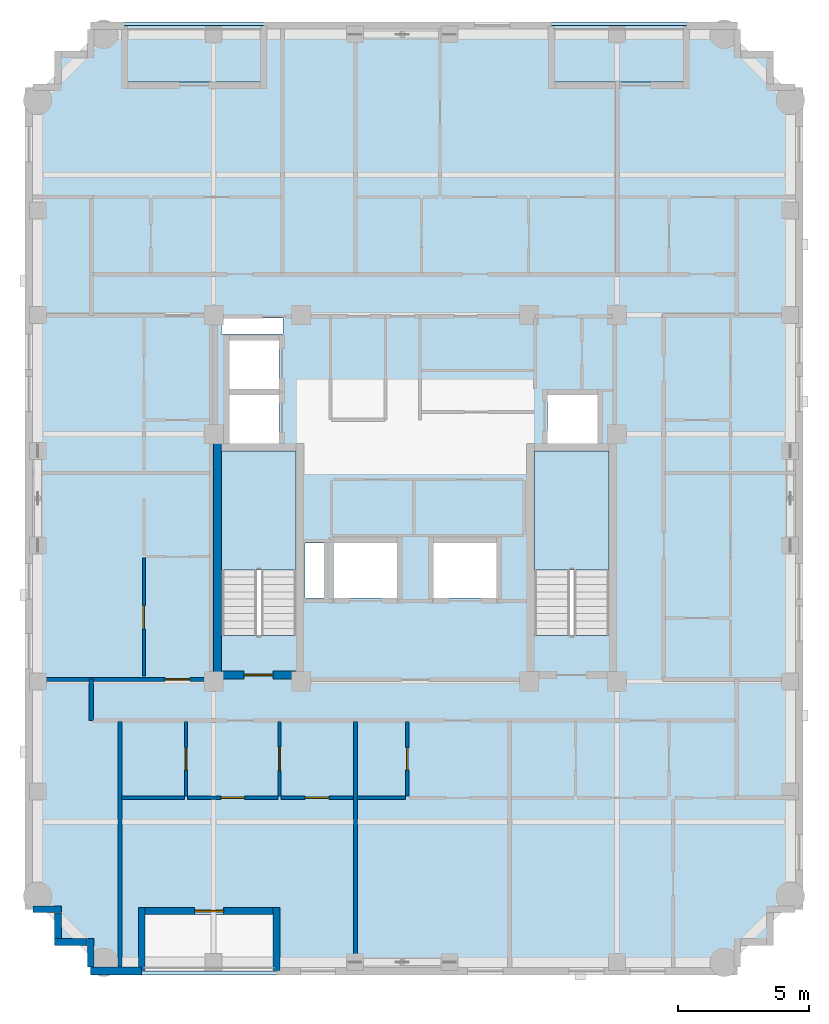
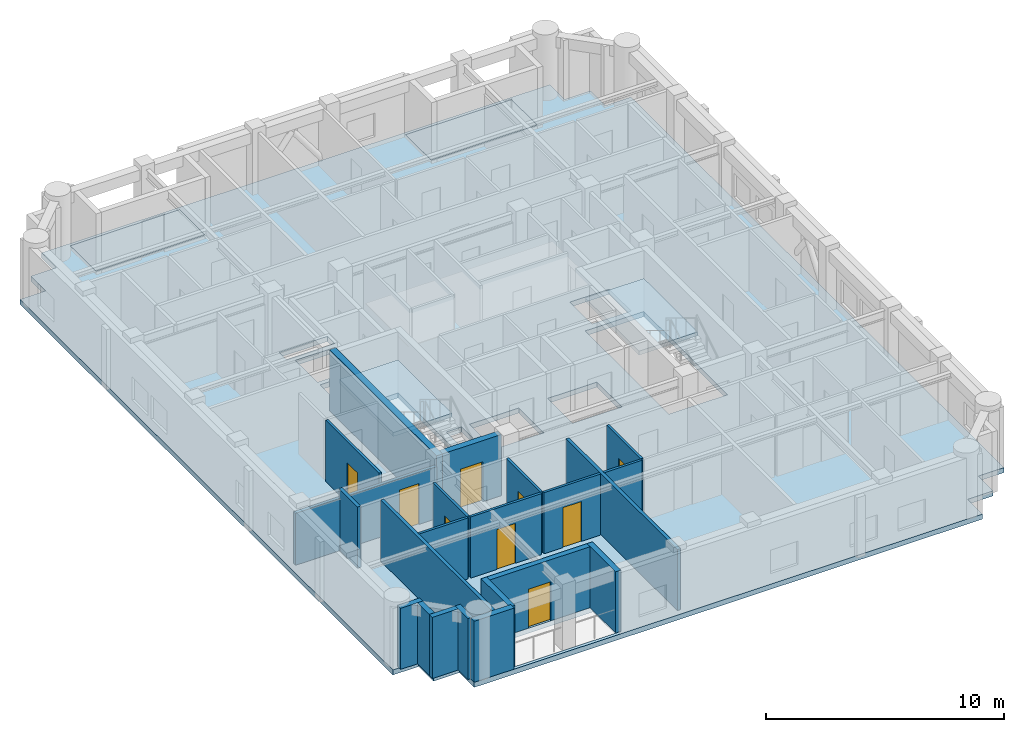
# One storey, part 2 of 10: 22 walls, 9 doors, 5 slabs, 9 openings, 2 elements without a shape of their own.
"""IFC4 building model written with IfcOpenShell, lengths in metres."""

from ifc_helpers import new_model, si_unit, derived_unit, direction, frame, frame_2d, origin, place, context, subcontext, project, spatial, polyline, rectangle, outline, extrude, material, layer, layer_set, type_object, element, fill, aggregate, save


model = new_model("IFC4")

# Units and contexts
model_context = context("Model", 3, precision=1e-05, world=origin(), true_north=direction((0.0, 1.0)))
body_context = subcontext(model_context, "Body", "Model", "MODEL_VIEW")
ifc_project = project(units=[si_unit("LENGTHUNIT", "METRE"), si_unit("AREAUNIT", "SQUARE_METRE"), si_unit("VOLUMEUNIT", "CUBIC_METRE"), si_unit("PLANEANGLEUNIT", "RADIAN"), si_unit("MASSUNIT", "GRAM", prefix="KILO"), derived_unit("THERMALTRANSMITTANCEUNIT", [(si_unit("MASSUNIT", "GRAM", prefix="KILO"), 1), (si_unit("TIMEUNIT", "SECOND"), -3), (si_unit("THERMODYNAMICTEMPERATUREUNIT", "KELVIN"), -1)])], contexts=[model_context])

# Site, building, storey
site_placement = place(None, origin())
site = spatial("IfcSite", under=ifc_project, at=site_placement, CompositionType="ELEMENT")
building_placement = place(site_placement, origin())
building = spatial("IfcBuilding", under=site, at=building_placement, Name="Korrvale Station Residences", CompositionType="ELEMENT")
storey_placement = place(building_placement, frame((0.0, 0.0, 234.300048828125)))
storey = spatial("IfcBuildingStorey", under=building, at=storey_placement, Name="L68", CompositionType="ELEMENT", Elevation=234.300048828125)

# Slabs
ifc_material_1 = material(Name="Concrete C50/60", Category="concrete")
ifc_layer_1 = layer(ifc_material_1, 0.219970703125, Name="Concrete C50/60")
ifc_layer_set_1 = layer_set([ifc_layer_1], Name="Concrete C50/60")
slab_type_1 = type_object("IfcSlabType", Name="SLB-BAL-220", PredefinedType="FLOOR", material=ifc_layer_set_1)
slab_1_placement = place(storey_placement, frame((0.0, 0.0, -0.219970703125)))
element("IfcSlab", 1, at=slab_1_placement, inside=storey, type_object=slab_type_1, Name="L68 Recessed Loggia Balcony Slab BAL-L68-N1", PredefinedType="FLOOR", context=body_context, shape_type="SweptSolid", body=[
    extrude(outline(polyline([(30.699951171875, 37.89990234375), (35.85009765625, 37.89990234375), (35.85009765625, 40.050048828125), (30.699951171875, 40.050048828125), (30.699951171875, 37.89990234375)])), origin(), (0.0, 0.0, 1.0), 0.219970703125),
])
slab_2_placement = place(storey_placement, frame((0.0, 0.0, -0.219970703125)))
element("IfcSlab", 2, at=slab_2_placement, inside=storey, type_object=slab_type_1, Name="L68 Recessed Loggia Balcony Slab BAL-L68-N2", PredefinedType="FLOOR", context=body_context, shape_type="SweptSolid", body=[
    extrude(outline(polyline([(14.39990234375, 37.89990234375), (19.699951171875, 37.89990234375), (19.699951171875, 40.050048828125), (14.39990234375, 40.050048828125), (14.39990234375, 37.89990234375)])), origin(), (0.0, 0.0, 1.0), 0.219970703125),
])
ifc_layer_2 = layer(ifc_material_1, 0.260009765625, Name="Concrete C50/60")
ifc_layer_set_2 = layer_set([ifc_layer_2], Name="Concrete C50/60")
slab_type_2 = type_object("IfcSlabType", Name="SLB-FLR-260", PredefinedType="FLOOR", material=ifc_layer_set_2)
slab_3_placement = place(storey_placement, frame((0.0, 0.0, -0.260009765625)))
element("IfcSlab", 3, at=slab_3_placement, inside=storey, type_object=slab_type_2, Name="L68 Suspended Structural Floor Slab", PredefinedType="FLOOR", context=body_context, shape_type="SweptSolid", body=[
    extrude(outline(polyline([(13.10009765625, 3.800048828125), (37.800048828125, 3.800048828125), (37.800048828125, 5.050048828125), (39.050048828125, 5.050048828125), (39.050048828125, 6.300048828125), (40.300048828125, 6.300048828125), (40.300048828125, 37.699951171875), (39.050048828125, 37.699951171875), (39.050048828125, 38.949951171875), (37.800048828125, 38.949951171875), (37.800048828125, 40.199951171875), (13.10009765625, 40.199951171875), (13.10009765625, 38.949951171875), (11.85009765625, 38.949951171875), (11.85009765625, 37.699951171875), (10.60009765625, 37.699951171875), (10.60009765625, 6.300048828125), (11.85009765625, 6.300048828125), (11.85009765625, 5.050048828125), (13.10009765625, 5.050048828125), (13.10009765625, 3.800048828125)]), holes=[polyline([(20.949951171875, 16.751953125), (20.949951171875, 23.800048828125), (18.10009765625, 23.800048828125), (18.10009765625, 16.751953125), (20.949951171875, 16.751953125)]), polyline([(32.89990234375, 16.751953125), (32.89990234375, 23.800048828125), (30.050048828125, 23.800048828125), (30.050048828125, 16.751953125), (32.89990234375, 16.751953125)]), polyline([(18.39990234375, 24.10009765625), (20.300048828125, 24.10009765625), (20.300048828125, 25.949951171875), (18.39990234375, 25.949951171875), (18.39990234375, 24.10009765625)]), polyline([(18.39990234375, 26.169921875), (20.300048828125, 26.169921875), (20.300048828125, 28.02001953125), (18.39990234375, 28.02001953125), (18.39990234375, 26.169921875)]), polyline([(30.550048828125, 24.10009765625), (32.449951171875, 24.10009765625), (32.449951171875, 25.949951171875), (30.550048828125, 25.949951171875), (30.550048828125, 24.10009765625)]), polyline([(22.39990234375, 18.199951171875), (24.800048828125, 18.199951171875), (24.800048828125, 20.300048828125), (22.39990234375, 20.300048828125), (22.39990234375, 18.199951171875)]), polyline([(26.199951171875, 18.199951171875), (28.60009765625, 18.199951171875), (28.60009765625, 20.300048828125), (26.199951171875, 20.300048828125), (26.199951171875, 18.199951171875)]), polyline([(18.10009765625, 28.280029296875), (20.449951171875, 28.280029296875), (20.449951171875, 28.8798828125), (18.10009765625, 28.8798828125), (18.10009765625, 28.280029296875)]), polyline([(21.280029296875, 18.199951171875), (22.02001953125, 18.199951171875), (22.02001953125, 20.300048828125), (21.280029296875, 20.300048828125), (21.280029296875, 18.199951171875)]), polyline([(15.050048828125, 3.949951171875), (20.199951171875, 3.949951171875), (20.199951171875, 6.10009765625), (15.050048828125, 6.10009765625), (15.050048828125, 3.949951171875)]), polyline([(30.699951171875, 37.89990234375), (35.85009765625, 37.89990234375), (35.85009765625, 40.050048828125), (30.699951171875, 40.050048828125), (30.699951171875, 37.89990234375)]), polyline([(14.39990234375, 37.89990234375), (19.699951171875, 37.89990234375), (19.699951171875, 40.050048828125), (14.39990234375, 40.050048828125), (14.39990234375, 37.89990234375)])]), origin(), (0.0, 0.0, 1.0), 0.260009765625),
])

# Stair, slab
stair_type = type_object("IfcStairType", Name="STR-DL-1350-20R-1700", PredefinedType="HALF_TURN_STAIR", material=ifc_material_1)
stair_1_placement = place(storey_placement, origin())
stair_1 = element("IfcStair", 4, at=stair_1_placement, inside=storey, type_object=stair_type, Name="L68 Exit Stair 1", PredefinedType="HALF_TURN_STAIR")
ifc_layer_3 = layer(ifc_material_1, 0.199951171875, Name="Concrete C50/60")
ifc_layer_set_3 = layer_set([ifc_layer_3], Name="Concrete C50/60")
slab_type_3 = type_object("IfcSlabType", Name="SLB-LND-200", PredefinedType="LANDING", material=ifc_layer_set_3)
slab_4_placement = place(storey_placement, frame((0.0, 0.0, 1.5)))
slab_4 = element("IfcSlab", 5, at=slab_4_placement, type_object=slab_type_3, Name="ST-1 landing 1", PredefinedType="LANDING", context=body_context, shape_type="SweptSolid", body=[
    extrude(outline(polyline([(20.949951171875, 19.27001953125), (20.949951171875, 23.800048828125), (18.10009765625, 23.800048828125), (18.10009765625, 19.27001953125), (20.949951171875, 19.27001953125)])), origin(), (0.0, 0.0, 1.0), 0.199951171875),
])
aggregate(stair_1, [slab_4])

stair_2_placement = place(storey_placement, origin())
stair_2 = element("IfcStair", 6, at=stair_2_placement, inside=storey, type_object=stair_type, Name="L68 Exit Stair 2", PredefinedType="HALF_TURN_STAIR")
slab_5_placement = place(storey_placement, frame((0.0, 0.0, 1.5)))
slab_5 = element("IfcSlab", 7, at=slab_5_placement, type_object=slab_type_3, Name="ST-2 landing 1", PredefinedType="LANDING", context=body_context, shape_type="SweptSolid", body=[
    extrude(outline(polyline([(32.89990234375, 19.27001953125), (32.89990234375, 23.800048828125), (30.050048828125, 23.800048828125), (30.050048828125, 19.27001953125), (32.89990234375, 19.27001953125)])), origin(), (0.0, 0.0, 1.0), 0.199951171875),
])
aggregate(stair_2, [slab_5])

# Wall
ifc_layer_4 = layer(ifc_material_1, 0.300048828125, Name="Concrete C50/60")
ifc_layer_set_4 = layer_set([ifc_layer_4], Name="Concrete C50/60")
wall_type_1 = type_object("IfcWallType", Name="WAL-CORE-300-C50", PredefinedType="SHEAR", material=ifc_layer_set_4)
wall_1_placement = place(storey_placement, frame((17.949951171875, 15.10009765625, 0.0), z_axis=(0.0, 0.0, 1.0), x_axis=(0.0, 1.0, 0.0)))
element("IfcWall", 8, at=wall_1_placement, inside=storey, type_object=wall_type_1, Name="L68 ST-1 Core Shear Wall West", PredefinedType="SHEAR", context=body_context, shape_type="SweptSolid", body=[
    extrude(rectangle(XDim=9.0, YDim=0.300048828125, at=frame_2d((4.5, 0.0))), origin(), (0.0, 0.0, 1.0), 3.139892578125),
])

# Wall, opening, door
wall_2_placement = place(storey_placement, frame((18.10009765625, 15.25, 0.0), z_axis=(0.0, 0.0, 1.0), x_axis=(1.0, 0.0, 0.0)))
wall_2 = element("IfcWall", 9, at=wall_2_placement, inside=storey, type_object=wall_type_1, Name="L68 ST-1 Core Shear Wall South", PredefinedType="SHEAR", context=body_context, shape_type="SweptSolid", body=[
    extrude(rectangle(XDim=2.849853515625, YDim=0.300048828125, at=frame_2d((1.4248046875, 0.0))), origin(), (0.0, 0.0, 1.0), 3.139892578125),
])
opening_1_placement = place(wall_2_placement, frame((0.860107421875, 0.0, 0.0)))
opening_1 = element("IfcOpeningElement", 10, at=opening_1_placement, cuts=wall_2, Name="Opening SD-1100", PredefinedType="OPENING", context=body_context, shape_type="SweptSolid", body=[
    extrude(rectangle(XDim=1.10009765625, YDim=2.050048828125, at=frame_2d((0.550048828125, 1.02490234375))), frame((0.0, 0.16015625, 0.0), z_axis=(0.0, -1.0, 0.0), x_axis=(1.0, 0.0, 0.0)), (0.0, 0.0, 1.0), 0.320068359375),
])
ifc_material_2 = material(Name="Hollow-metal fire-rated stair door with closer", Category="steel")
door_type_1 = type_object("IfcDoorType", Name="DR-STAIR-1100", OperationType="NOTDEFINED", PredefinedType="DOOR", material=ifc_material_2)
door_1_placement = place(opening_1_placement, origin())
door_1 = element("IfcDoor", 11, at=door_1_placement, inside=storey, type_object=door_type_1, Name="L68 ST-1 Exit Stair Door", OperationType="SINGLE_SWING_LEFT", OverallHeight=2.050048828125, OverallWidth=1.10009765625, PredefinedType="DOOR", context=body_context, shape_type="SweptSolid", body=[
    extrude(rectangle(XDim=1.10009765625, YDim=2.050048828125, at=frame_2d((0.550048828125, 1.02490234375))), frame((0.0, 0.02490234375, 0.0), z_axis=(0.0, -1.0, 0.0), x_axis=(1.0, 0.0, 0.0)), (0.0, 0.0, 1.0), 0.050048828125),
])
fill(opening_1, door_1)

# Wall
ifc_material_3 = material(Name="Precast concrete C45/55", Category="concrete")
ifc_layer_5 = layer(ifc_material_3, 0.260009765625, Name="Precast concrete C45/55")
ifc_layer_set_5 = layer_set([ifc_layer_5], Name="Precast concrete C45/55")
wall_type_2 = type_object("IfcWallType", Name="WAL-EXT-LOG260", PredefinedType="SOLIDWALL", material=ifc_layer_set_5)
wall_3_placement = place(storey_placement, frame((20.199951171875, 3.9599609375, 0.0), z_axis=(0.0, 0.0, 1.0), x_axis=(0.0, 1.0, 0.0)))
element("IfcWall", 12, at=wall_3_placement, inside=storey, type_object=wall_type_2, Name="L68 Recessed Loggia Wall BAL-L68-S1-L", PredefinedType="SOLIDWALL", context=body_context, shape_type="SweptSolid", body=[
    extrude(rectangle(XDim=2.400146484375, YDim=0.260009765625, at=frame_2d((1.2001953125, 0.0))), origin(), (0.0, 0.0, 1.0), 3.139892578125),
])

# Wall, opening, door
wall_4_placement = place(storey_placement, frame((20.06591796875, 6.22998046875, 0.0), z_axis=(0.0, 0.0, 1.0), x_axis=(-1.0, 0.0, 0.0)))
wall_4 = element("IfcWall", 13, at=wall_4_placement, inside=storey, type_object=wall_type_2, Name="L68 Recessed Loggia Wall BAL-L68-S1-B", PredefinedType="SOLIDWALL", context=body_context, shape_type="SweptSolid", body=[
    extrude(rectangle(XDim=4.8818359375, YDim=0.260009765625, at=frame_2d((2.44091796875, 0.0))), origin(), (0.0, 0.0, 1.0), 3.139892578125),
])
opening_2_placement = place(wall_4_placement, frame((1.89111328125, 0.0, 0.0)))
opening_2 = element("IfcOpeningElement", 14, at=opening_2_placement, cuts=wall_4, Name="Opening BD-01", PredefinedType="OPENING", context=body_context, shape_type="SweptSolid", body=[
    extrude(rectangle(XDim=1.10009765625, YDim=2.0, at=frame_2d((0.550048828125, 1.0))), frame((0.0, 0.14013671875, 0.0), z_axis=(0.0, -1.0, 0.0), x_axis=(1.0, 0.0, 0.0)), (0.0, 0.0, 1.0), 0.280029296875),
])
ifc_material_4 = material(Name="Exterior thermally broken aluminium glazed balcony door", Category="aluminium")
door_type_2 = type_object("IfcDoorType", Name="DR-EXT-BAL", OperationType="NOTDEFINED", PredefinedType="DOOR", material=ifc_material_4)
door_2_placement = place(opening_2_placement, origin())
door_2 = element("IfcDoor", 15, at=door_2_placement, inside=storey, type_object=door_type_2, Name="L68 Loggia Balcony Door BAL-L68-S1", OperationType="SINGLE_SWING_LEFT", OverallHeight=2.0, OverallWidth=1.10009765625, PredefinedType="DOOR", context=body_context, shape_type="SweptSolid", body=[
    extrude(rectangle(XDim=1.10009765625, YDim=2.0, at=frame_2d((0.550048828125, 1.0))), frame((0.0, 0.02490234375, 0.0), z_axis=(0.0, -1.0, 0.0), x_axis=(1.0, 0.0, 0.0)), (0.0, 0.0, 1.0), 0.050048828125),
])
fill(opening_2, door_2)

# Walls
wall_5_placement = place(storey_placement, frame((15.050048828125, 6.360107421875, 0.0), z_axis=(0.0, 0.0, 1.0), x_axis=(0.0, -1.0, 0.0)))
element("IfcWall", 16, at=wall_5_placement, inside=storey, type_object=wall_type_2, Name="L68 Recessed Loggia Wall BAL-L68-S1-R", PredefinedType="SOLIDWALL", context=body_context, shape_type="SweptSolid", body=[
    extrude(rectangle(XDim=2.400146484375, YDim=0.260009765625, at=frame_2d((1.2001953125, 0.0))), origin(), (0.0, 0.0, 1.0), 3.139892578125),
])
wall_6_placement = place(storey_placement, frame((13.10009765625, 4.10205078125, 0.0), z_axis=(0.0, 0.0, 1.0), x_axis=(0.0, 1.0, 0.0)))
element("IfcWall", 17, at=wall_6_placement, inside=storey, type_object=wall_type_2, Name="L68 Serrated Corner Precast Step SW-1", PredefinedType="SOLIDWALL", context=body_context, shape_type="SweptSolid", body=[
    extrude(rectangle(XDim=1.077880859375, YDim=0.260009765625, at=frame_2d((0.5390625, 0.0))), origin(), (0.0, 0.0, 1.0), 3.139892578125),
])
wall_7_placement = place(storey_placement, frame((12.968017578125, 5.050048828125, 0.0), z_axis=(0.0, 0.0, 1.0), x_axis=(-1.0, 0.0, 0.0)))
element("IfcWall", 18, at=wall_7_placement, inside=storey, type_object=wall_type_2, Name="L68 Serrated Corner Precast Step SW-2", PredefinedType="SOLIDWALL", context=body_context, shape_type="SweptSolid", body=[
    extrude(rectangle(XDim=1.248046875, YDim=0.260009765625, at=frame_2d((0.6240234375, 0.0))), origin(), (0.0, 0.0, 1.0), 3.139892578125),
])
wall_8_placement = place(storey_placement, frame((11.85009765625, 5.181884765625, 0.0), z_axis=(0.0, 0.0, 1.0), x_axis=(0.0, 1.0, 0.0)))
element("IfcWall", 19, at=wall_8_placement, inside=storey, type_object=wall_type_2, Name="L68 Serrated Corner Precast Step SW-3", PredefinedType="SOLIDWALL", context=body_context, shape_type="SweptSolid", body=[
    extrude(rectangle(XDim=0.986083984375, YDim=0.260009765625, at=frame_2d((0.4931640625, 0.0))), origin(), (0.0, 0.0, 1.0), 3.139892578125),
])
wall_9_placement = place(storey_placement, frame((11.97998046875, 6.300048828125, 0.0), z_axis=(0.0, 0.0, 1.0), x_axis=(-1.0, 0.0, 0.0)))
element("IfcWall", 20, at=wall_9_placement, inside=storey, type_object=wall_type_2, Name="L68 Serrated Corner Precast Step SW-4", PredefinedType="SOLIDWALL", context=body_context, shape_type="SweptSolid", body=[
    extrude(rectangle(XDim=1.077880859375, YDim=0.260009765625, at=frame_2d((0.5390625, 0.0))), origin(), (0.0, 0.0, 1.0), 3.139892578125),
])
ifc_layer_6 = layer(ifc_material_3, 0.300048828125, Name="Precast concrete C45/55")
ifc_layer_set_6 = layer_set([ifc_layer_6], Name="Precast concrete C45/55")
wall_type_3 = type_object("IfcWallType", Name="WAL-EXT-PC300", PredefinedType="SOLIDWALL", material=ifc_layer_set_6)
wall_10_placement = place(storey_placement, frame((15.050048828125, 3.949951171875, 0.0), z_axis=(0.0, 0.0, 1.0), x_axis=(-1.0, 0.0, 0.0)))
element("IfcWall", 21, at=wall_10_placement, inside=storey, type_object=wall_type_3, Name="L68 South Exterior Precast Wall 2", PredefinedType="SOLIDWALL", context=body_context, shape_type="SweptSolid", body=[
    extrude(rectangle(XDim=1.949951171875, YDim=0.300048828125, at=frame_2d((0.97509765625, 0.0))), origin(), (0.0, 0.0, 1.0), 3.139892578125),
])

# Wall, opening, door
ifc_material_5 = material(Name="Acoustic steel-stud gypsum board partition", Category="steel")
ifc_layer_7 = layer(ifc_material_5, 0.1201171875, Name="Acoustic steel-stud gypsum board partition")
ifc_layer_set_7 = layer_set([ifc_layer_7], Name="Acoustic steel-stud gypsum board partition")
wall_type_4 = type_object("IfcWallType", Name="WAL-PART-125", PredefinedType="PARTITIONING", material=ifc_layer_set_7)
wall_11_placement = place(storey_placement, frame((16.739990234375, 10.6201171875, 0.0), z_axis=(0.0, 0.0, 1.0), x_axis=(0.0, 1.0, 0.0)))
wall_11 = element("IfcWall", 22, at=wall_11_placement, inside=storey, type_object=wall_type_4, Name="L68 Suite Partition U01-V01", PredefinedType="PARTITIONING", context=body_context, shape_type="SweptSolid", body=[
    extrude(rectangle(XDim=2.849853515625, YDim=0.1201171875, at=frame_2d((1.4248046875, 0.0))), origin(), (0.0, 0.0, 1.0), 3.139892578125),
])
opening_3_placement = place(wall_11_placement, frame((0.9951171875, 0.0, 0.0)))
opening_3 = element("IfcOpeningElement", 23, at=opening_3_placement, cuts=wall_11, Name="Opening DB-860", PredefinedType="OPENING", context=body_context, shape_type="SweptSolid", body=[
    extrude(rectangle(XDim=0.860107421875, YDim=2.050048828125, at=frame_2d((0.43017578125, 1.02490234375))), frame((0.0, 0.070068359375, 0.0), z_axis=(0.0, -1.0, 0.0), x_axis=(1.0, 0.0, 0.0)), (0.0, 0.0, 1.0), 0.14013671875),
])
ifc_material_6 = material(Name="Moisture-resistant solid-core bathroom door", Category="timber")
door_type_3 = type_object("IfcDoorType", Name="DR-BATH-860", OperationType="NOTDEFINED", PredefinedType="DOOR", material=ifc_material_6)
door_3_placement = place(opening_3_placement, origin())
door_3 = element("IfcDoor", 24, at=door_3_placement, inside=storey, type_object=door_type_3, Name="L68 Studio Apartment L68-U01 Bathroom Door", OperationType="SINGLE_SWING_LEFT", OverallHeight=2.050048828125, OverallWidth=0.860107421875, PredefinedType="DOOR", context=body_context, shape_type="SweptSolid", body=[
    extrude(rectangle(XDim=0.860107421875, YDim=2.050048828125, at=frame_2d((0.43017578125, 1.02490234375))), frame((0.0, 0.02490234375, 0.0), z_axis=(0.0, -1.0, 0.0), x_axis=(1.0, 0.0, 0.0)), (0.0, 0.0, 1.0), 0.050048828125),
])
fill(opening_3, door_3)

# Wall
wall_12_placement = place(storey_placement, frame((14.280029296875, 10.56005859375, 0.0), z_axis=(0.0, 0.0, 1.0), x_axis=(1.0, 0.0, 0.0)))
element("IfcWall", 25, at=wall_12_placement, inside=storey, type_object=wall_type_4, Name="L68 Suite Partition U01-H03", PredefinedType="PARTITIONING", context=body_context, shape_type="SweptSolid", body=[
    extrude(rectangle(XDim=2.39990234375, YDim=0.1201171875, at=frame_2d((1.199951171875, 0.0))), origin(), (0.0, 0.0, 1.0), 3.139892578125),
])

# Wall, opening, door
wall_13_placement = place(storey_placement, frame((20.31005859375, 10.6201171875, 0.0), z_axis=(0.0, 0.0, 1.0), x_axis=(0.0, 1.0, 0.0)))
wall_13 = element("IfcWall", 26, at=wall_13_placement, inside=storey, type_object=wall_type_4, Name="L68 Suite Partition U01-V12", PredefinedType="PARTITIONING", context=body_context, shape_type="SweptSolid", body=[
    extrude(rectangle(XDim=2.849853515625, YDim=0.1201171875, at=frame_2d((1.4248046875, 0.0))), origin(), (0.0, 0.0, 1.0), 3.139892578125),
])
opening_4_placement = place(wall_13_placement, frame((0.97509765625, 0.0, 0.0)))
opening_4 = element("IfcOpeningElement", 27, at=opening_4_placement, cuts=wall_13, Name="Opening DI-900", PredefinedType="OPENING", context=body_context, shape_type="SweptSolid", body=[
    extrude(rectangle(XDim=0.89990234375, YDim=2.050048828125, at=frame_2d((0.449951171875, 1.02490234375))), frame((0.0, 0.070068359375, 0.0), z_axis=(0.0, -1.0, 0.0), x_axis=(1.0, 0.0, 0.0)), (0.0, 0.0, 1.0), 0.14013671875),
])
ifc_material_7 = material(Name="Painted solid-core timber interior room door", Category="wood")
door_type_4 = type_object("IfcDoorType", Name="DR-INT-900", OperationType="NOTDEFINED", PredefinedType="DOOR", material=ifc_material_7)
door_4_placement = place(opening_4_placement, origin())
door_4 = element("IfcDoor", 28, at=door_4_placement, inside=storey, type_object=door_type_4, Name="L68 Studio Apartment L68-U01 Kitchen Door", OperationType="SINGLE_SWING_RIGHT", OverallHeight=2.050048828125, OverallWidth=0.89990234375, PredefinedType="DOOR", context=body_context, shape_type="SweptSolid", body=[
    extrude(rectangle(XDim=0.89990234375, YDim=2.050048828125, at=frame_2d((0.449951171875, 1.02490234375))), frame((0.0, 0.02490234375, 0.0), z_axis=(0.0, -1.0, 0.0), x_axis=(1.0, 0.0, 0.0)), (0.0, 0.0, 1.0), 0.050048828125),
])
fill(opening_4, door_4)

wall_14_placement = place(storey_placement, frame((16.800048828125, 10.56005859375, 0.0), z_axis=(0.0, 0.0, 1.0), x_axis=(1.0, 0.0, 0.0)))
wall_14 = element("IfcWall", 29, at=wall_14_placement, inside=storey, type_object=wall_type_4, Name="L68 Suite Partition U01-H13", PredefinedType="PARTITIONING", context=body_context, shape_type="SweptSolid", body=[
    extrude(rectangle(XDim=3.449951171875, YDim=0.1201171875, at=frame_2d((1.72509765625, 0.0))), origin(), (0.0, 0.0, 1.0), 3.139892578125),
])
opening_5_placement = place(wall_14_placement, frame((1.27490234375, 0.0, 0.0)))
opening_5 = element("IfcOpeningElement", 30, at=opening_5_placement, cuts=wall_14, Name="Opening DI-900", PredefinedType="OPENING", context=body_context, shape_type="SweptSolid", body=[
    extrude(rectangle(XDim=0.89990234375, YDim=2.050048828125, at=frame_2d((0.449951171875, 1.02490234375))), frame((0.0, 0.070068359375, 0.0), z_axis=(0.0, -1.0, 0.0), x_axis=(1.0, 0.0, 0.0)), (0.0, 0.0, 1.0), 0.14013671875),
])
door_5_placement = place(opening_5_placement, origin())
door_5 = element("IfcDoor", 31, at=door_5_placement, inside=storey, type_object=door_type_4, Name="L68 Studio Apartment L68-U01 Kitchen Door", OperationType="SINGLE_SWING_LEFT", OverallHeight=2.050048828125, OverallWidth=0.89990234375, PredefinedType="DOOR", context=body_context, shape_type="SweptSolid", body=[
    extrude(rectangle(XDim=0.89990234375, YDim=2.050048828125, at=frame_2d((0.449951171875, 1.02490234375))), frame((0.0, 0.02490234375, 0.0), z_axis=(0.0, -1.0, 0.0), x_axis=(1.0, 0.0, 0.0)), (0.0, 0.0, 1.0), 0.050048828125),
])
fill(opening_5, door_5)

wall_15_placement = place(storey_placement, frame((20.3701171875, 10.56005859375, 0.0), z_axis=(0.0, 0.0, 1.0), x_axis=(1.0, 0.0, 0.0)))
wall_15 = element("IfcWall", 32, at=wall_15_placement, inside=storey, type_object=wall_type_4, Name="L68 Suite Partition U01-H23", PredefinedType="PARTITIONING", context=body_context, shape_type="SweptSolid", body=[
    extrude(rectangle(XDim=2.75, YDim=0.1201171875, at=frame_2d((1.375, 0.0))), origin(), (0.0, 0.0, 1.0), 3.139892578125),
])
opening_6_placement = place(wall_15_placement, frame((0.925048828125, 0.0, 0.0)))
opening_6 = element("IfcOpeningElement", 33, at=opening_6_placement, cuts=wall_15, Name="Opening DI-900", PredefinedType="OPENING", context=body_context, shape_type="SweptSolid", body=[
    extrude(rectangle(XDim=0.89990234375, YDim=2.050048828125, at=frame_2d((0.449951171875, 1.02490234375))), frame((0.0, 0.070068359375, 0.0), z_axis=(0.0, -1.0, 0.0), x_axis=(1.0, 0.0, 0.0)), (0.0, 0.0, 1.0), 0.14013671875),
])
door_6_placement = place(opening_6_placement, origin())
door_6 = element("IfcDoor", 34, at=door_6_placement, inside=storey, type_object=door_type_4, Name="L68 Studio Apartment L68-U01 Utility and Laundry Room Door", OperationType="SINGLE_SWING_RIGHT", OverallHeight=2.050048828125, OverallWidth=0.89990234375, PredefinedType="DOOR", context=body_context, shape_type="SweptSolid", body=[
    extrude(rectangle(XDim=0.89990234375, YDim=2.050048828125, at=frame_2d((0.449951171875, 1.02490234375))), frame((0.0, 0.02490234375, 0.0), z_axis=(0.0, -1.0, 0.0), x_axis=(1.0, 0.0, 0.0)), (0.0, 0.0, 1.0), 0.050048828125),
])
fill(opening_6, door_6)

wall_16_placement = place(storey_placement, frame((25.18994140625, 10.6201171875, 0.0), z_axis=(0.0, 0.0, 1.0), x_axis=(0.0, 1.0, 0.0)))
wall_16 = element("IfcWall", 35, at=wall_16_placement, inside=storey, type_object=wall_type_4, Name="L68 Suite Partition U02-V01", PredefinedType="PARTITIONING", context=body_context, shape_type="SweptSolid", body=[
    extrude(rectangle(XDim=2.849853515625, YDim=0.1201171875, at=frame_2d((1.4248046875, 0.0))), origin(), (0.0, 0.0, 1.0), 3.139892578125),
])
opening_7_placement = place(wall_16_placement, frame((0.9951171875, 0.0, 0.0)))
opening_7 = element("IfcOpeningElement", 36, at=opening_7_placement, cuts=wall_16, Name="Opening DB-860", PredefinedType="OPENING", context=body_context, shape_type="SweptSolid", body=[
    extrude(rectangle(XDim=0.860107421875, YDim=2.050048828125, at=frame_2d((0.43017578125, 1.02490234375))), frame((0.0, 0.070068359375, 0.0), z_axis=(0.0, -1.0, 0.0), x_axis=(1.0, 0.0, 0.0)), (0.0, 0.0, 1.0), 0.14013671875),
])
door_7_placement = place(opening_7_placement, origin())
door_7 = element("IfcDoor", 37, at=door_7_placement, inside=storey, type_object=door_type_3, Name="L68 Studio Apartment L68-U02 Bathroom Door", OperationType="SINGLE_SWING_LEFT", OverallHeight=2.050048828125, OverallWidth=0.860107421875, PredefinedType="DOOR", context=body_context, shape_type="SweptSolid", body=[
    extrude(rectangle(XDim=0.860107421875, YDim=2.050048828125, at=frame_2d((0.43017578125, 1.02490234375))), frame((0.0, 0.02490234375, 0.0), z_axis=(0.0, -1.0, 0.0), x_axis=(1.0, 0.0, 0.0)), (0.0, 0.0, 1.0), 0.050048828125),
])
fill(opening_7, door_7)

# Wall
wall_17_placement = place(storey_placement, frame((23.280029296875, 10.56005859375, 0.0), z_axis=(0.0, 0.0, 1.0), x_axis=(1.0, 0.0, 0.0)))
element("IfcWall", 38, at=wall_17_placement, inside=storey, type_object=wall_type_4, Name="L68 Suite Partition U02-H02", PredefinedType="PARTITIONING", context=body_context, shape_type="SweptSolid", body=[
    extrude(rectangle(XDim=1.849853515625, YDim=0.1201171875, at=frame_2d((0.9248046875, 0.0))), origin(), (0.0, 0.0, 1.0), 3.139892578125),
])

# Wall, opening, door
wall_18_placement = place(storey_placement, frame((15.1298828125, 15.2099609375, 0.0), z_axis=(0.0, 0.0, 1.0), x_axis=(0.0, 1.0, 0.0)))
wall_18 = element("IfcWall", 39, at=wall_18_placement, inside=storey, type_object=wall_type_4, Name="L68 Suite Partition U07-V12", PredefinedType="PARTITIONING", context=body_context, shape_type="SweptSolid", body=[
    extrude(rectangle(XDim=4.5, YDim=0.1201171875, at=frame_2d((2.25, 0.0))), origin(), (0.0, 0.0, 1.0), 3.139892578125),
])
opening_8_placement = place(wall_18_placement, frame((1.800048828125, 0.0, 0.0)))
opening_8 = element("IfcOpeningElement", 40, at=opening_8_placement, cuts=wall_18, Name="Opening DI-900", PredefinedType="OPENING", context=body_context, shape_type="SweptSolid", body=[
    extrude(rectangle(XDim=0.89990234375, YDim=2.050048828125, at=frame_2d((0.449951171875, 1.02490234375))), frame((0.0, 0.070068359375, 0.0), z_axis=(0.0, -1.0, 0.0), x_axis=(1.0, 0.0, 0.0)), (0.0, 0.0, 1.0), 0.14013671875),
])
door_8_placement = place(opening_8_placement, origin())
door_8 = element("IfcDoor", 41, at=door_8_placement, inside=storey, type_object=door_type_4, Name="L68 Apartment 1BR L68-U07 Kitchen Door", OperationType="SINGLE_SWING_LEFT", OverallHeight=2.050048828125, OverallWidth=0.89990234375, PredefinedType="DOOR", context=body_context, shape_type="SweptSolid", body=[
    extrude(rectangle(XDim=0.89990234375, YDim=2.050048828125, at=frame_2d((0.449951171875, 1.02490234375))), frame((0.0, 0.02490234375, 0.0), z_axis=(0.0, -1.0, 0.0), x_axis=(1.0, 0.0, 0.0)), (0.0, 0.0, 1.0), 0.050048828125),
])
fill(opening_8, door_8)

# Walls
ifc_material_8 = material(Name="Fire-rated twin-stud gypsum and mineral wool shaftwall assembly", Category="gypsum")
ifc_layer_8 = layer(ifc_material_8, 0.159912109375, Name="Fire-rated twin-stud gypsum and mineral wool shaftwall assembly")
ifc_layer_set_8 = layer_set([ifc_layer_8], Name="Fire-rated twin-stud gypsum and mineral wool shaftwall assembly")
wall_type_5 = type_object("IfcWallType", Name="WAL-PART-200", PredefinedType="PARTITIONING", material=ifc_layer_set_8)
wall_19_placement = place(storey_placement, frame((13.1201171875, 13.510009765625, 0.0), z_axis=(0.0, 0.0, 1.0), x_axis=(0.0, 1.0, 0.0)))
element("IfcWall", 42, at=wall_19_placement, inside=storey, type_object=wall_type_5, Name="L68 Corridor South West Cap", PredefinedType="PARTITIONING", context=body_context, shape_type="SweptSolid", body=[
    extrude(rectangle(XDim=1.580078125, YDim=0.159912109375, at=frame_2d((0.7900390625, 0.0))), origin(), (0.0, 0.0, 1.0), 3.139892578125),
])
for number, where, z_axis, x_axis, name in (
    (43, (14.219970703125, 4.080078125, 0.0), (0.0, 0.0, 1.0), (0.0, 1.0, 0.0), "L68 Demising Wall U01-W"),
    (44, (23.219970703125, 4.080078125, 0.0), (0.0, 0.0, 1.0), (0.0, 1.0, 0.0), "L68 Demising Wall U02-W"),
):
    element("IfcWall", number, at=place(storey_placement, frame(where, z_axis=z_axis, x_axis=x_axis)), inside=storey, type_object=wall_type_5, Name=name, PredefinedType="PARTITIONING", context=body_context, shape_type="SweptSolid", body=[
        extrude(rectangle(XDim=9.389892578125, YDim=0.159912109375, at=frame_2d((4.69482421875, 0.0))), origin(), (0.0, 0.0, 1.0), 3.139892578125),
    ])

# Wall, opening, door
wall_20_placement = place(storey_placement, frame((10.8798828125, 15.080078125, 0.0), z_axis=(0.0, 0.0, 1.0), x_axis=(1.0, 0.0, 0.0)))
wall_20 = element("IfcWall", 45, at=wall_20_placement, inside=storey, type_object=wall_type_5, Name="L68 Side Suite South Entry Wall U07", PredefinedType="PARTITIONING", context=body_context, shape_type="SweptSolid", body=[
    extrude(rectangle(XDim=6.880126953125, YDim=0.159912109375, at=frame_2d((3.43994140625, 0.0))), origin(), (0.0, 0.0, 1.0), 2.66796875),
])
opening_9_placement = place(wall_20_placement, frame((5.06005859375, 0.0, 0.0)))
opening_9 = element("IfcOpeningElement", 46, at=opening_9_placement, cuts=wall_20, Name="Opening UD-950", PredefinedType="OPENING", context=body_context, shape_type="SweptSolid", body=[
    extrude(rectangle(XDim=0.949951171875, YDim=2.10009765625, at=frame_2d((0.47509765625, 1.050048828125))), frame((0.0, 0.08984375, 0.0), z_axis=(0.0, -1.0, 0.0), x_axis=(1.0, 0.0, 0.0)), (0.0, 0.0, 1.0), 0.179931640625),
])
ifc_material_9 = material(Name="Solid-core acoustic oak apartment entrance door", Category="timber")
door_type_5 = type_object("IfcDoorType", Name="DR-UNIT-950", OperationType="NOTDEFINED", PredefinedType="DOOR", material=ifc_material_9)
door_9_placement = place(opening_9_placement, origin())
door_9 = element("IfcDoor", 47, at=door_9_placement, inside=storey, type_object=door_type_5, Name="L68 Apartment L68-U07 Entrance Door", OperationType="SINGLE_SWING_LEFT", OverallHeight=2.10009765625, OverallWidth=0.949951171875, PredefinedType="DOOR", context=body_context, shape_type="SweptSolid", body=[
    extrude(rectangle(XDim=0.949951171875, YDim=2.10009765625, at=frame_2d((0.47509765625, 1.050048828125))), frame((0.0, 0.02490234375, 0.0), z_axis=(0.0, -1.0, 0.0), x_axis=(1.0, 0.0, 0.0)), (0.0, 0.0, 1.0), 0.050048828125),
])
fill(opening_9, door_9)

save(model, "model.ifc")
